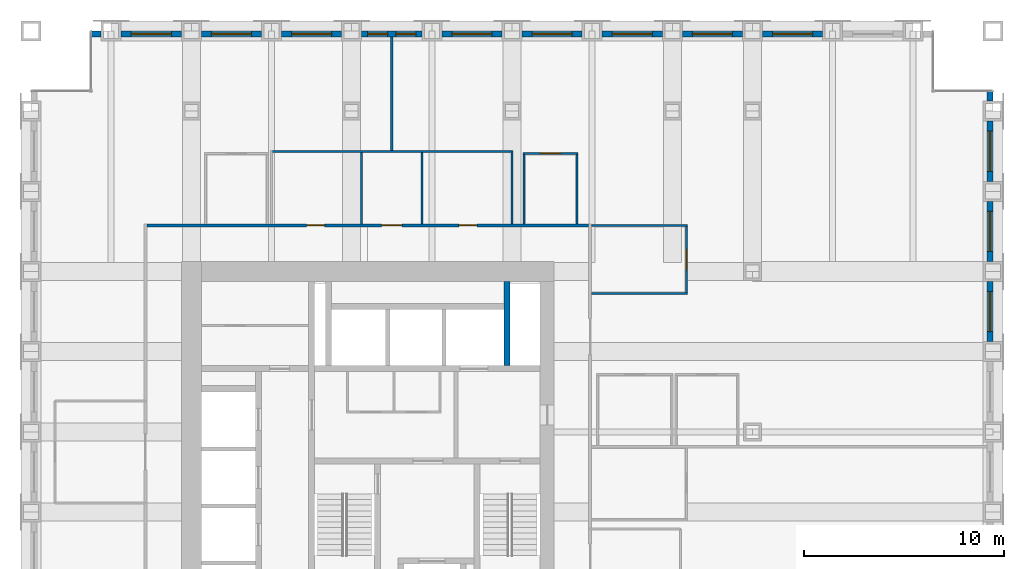
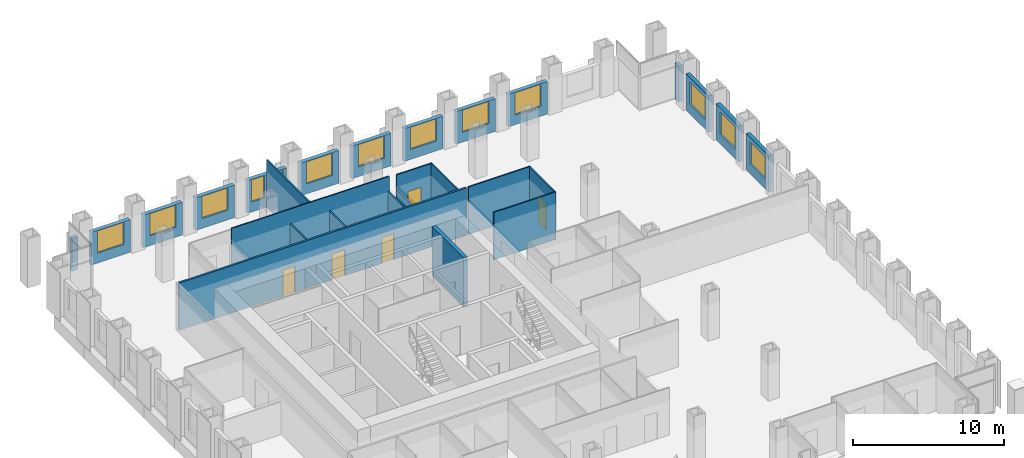
# One storey, part 14 of 17: 27 walls, 13 windows, 5 doors, 18 openings.
"""IFC4 building model written with IfcOpenShell, lengths in metres."""

from ifc_helpers import new_model, si_unit, direction, frame, frame_2d, origin, place, context, subcontext, project, spatial, rectangle, extrude, material, layer, layer_set, type_object, element, fill, save


model = new_model("IFC4")

# Units and contexts
model_context = context("Model", 3, precision=1e-05, world=origin(), true_north=direction((0.0, 1.0)))
body_context = subcontext(model_context, "Body", "Model", "MODEL_VIEW")
ifc_project = project(units=[si_unit("LENGTHUNIT", "METRE"), si_unit("AREAUNIT", "SQUARE_METRE"), si_unit("VOLUMEUNIT", "CUBIC_METRE"), si_unit("PLANEANGLEUNIT", "RADIAN"), si_unit("MASSUNIT", "GRAM", prefix="KILO")], contexts=[model_context])

# Site, building, storey
site_placement = place(None, origin())
site = spatial("IfcSite", under=ifc_project, at=site_placement, CompositionType="ELEMENT")
building_placement = place(site_placement, origin())
building = spatial("IfcBuilding", under=site, at=building_placement, Name="Rimbunsela Tower", CompositionType="ELEMENT")
storey_placement = place(building_placement, frame((0.0, 0.0, 101.39990234375)))
storey = spatial("IfcBuildingStorey", under=building, at=storey_placement, Name="L24", CompositionType="ELEMENT", Elevation=101.39990234375)

# Walls
ifc_material_1 = material(Name="Concrete fc' 80 MPa", Category="concrete")
ifc_layer_1 = layer(ifc_material_1, 0.300048828125)
ifc_layer_set_1 = layer_set([ifc_layer_1], Name="Core internal wall 300")
wall_type_1 = type_object("IfcWallType", Name="Core internal wall 300", PredefinedType="SHEAR", material=ifc_layer_set_1)
wall_1_placement = place(storey_placement, frame((33.75, 31.300048828125, -0.14990234375), z_axis=(0.0, 0.0, 1.0), x_axis=(0.0, 1.0, 0.0)))
element("IfcWall", 1, at=wall_1_placement, inside=storey, type_object=wall_type_1, Name="Riser wall", PredefinedType="SHEAR", context=body_context, shape_type="SweptSolid", body=[
    extrude(rectangle(XDim=4.199951171875, YDim=0.300048828125, at=frame_2d((2.10009765625, 0.0))), origin(), (0.0, 0.0, 1.0), 4.0),
])
ifc_material_2 = material(Name="Gypsum board on steel studs", Category="steel")
ifc_layer_2 = layer(ifc_material_2, 0.10009765625)
ifc_layer_set_2 = layer_set([ifc_layer_2], Name="Office partition 100")
wall_type_2 = type_object("IfcWallType", Name="Office partition 100", PredefinedType="PARTITIONING", material=ifc_layer_set_2)
for number, where, z_axis, x_axis, name in (
    (2, (37.97509765625, 34.89990234375, 0.0), (0.0, 0.0, 1.0), (1.0, 0.0, 0.0), "Office partition"),
    (3, (37.97509765625, 38.300048828125, 0.0), (0.0, 0.0, 1.0), (1.0, 0.0, 0.0), "Office partition"),
):
    element("IfcWall", number, at=place(storey_placement, frame(where, z_axis=z_axis, x_axis=x_axis)), inside=storey, type_object=wall_type_2, Name=name, PredefinedType="PARTITIONING", context=body_context, shape_type="SweptSolid", body=[
        extrude(rectangle(XDim=4.77490234375, YDim=0.10009765625, at=frame_2d((2.387451171875, 0.0))), origin(), (0.0, 0.0, 1.0), 3.85009765625),
    ])

# Wall, opening, door
wall_2_placement = place(storey_placement, frame((34.550048828125, 41.89990234375, 0.0), z_axis=(0.0, 0.0, 1.0), x_axis=(1.0, 0.0, 0.0)))
wall_2 = element("IfcWall", 4, at=wall_2_placement, inside=storey, type_object=wall_type_2, Name="Office partition", PredefinedType="PARTITIONING", context=body_context, shape_type="SweptSolid", body=[
    extrude(rectangle(XDim=2.75, YDim=0.10009765625, at=frame_2d((1.375, 0.0))), origin(), (0.0, 0.0, 1.0), 3.85009765625),
])
opening_1_placement = place(wall_2_placement, frame((0.875, 0.0, 0.0)))
opening_1 = element("IfcOpeningElement", 5, at=opening_1_placement, cuts=wall_2, Name="Opening D16", PredefinedType="OPENING", context=body_context, shape_type="SweptSolid", body=[
    extrude(rectangle(XDim=1.0, YDim=2.199951171875, at=frame_2d((0.5, 1.10009765625))), frame((0.0, 0.06005859375, 0.0), z_axis=(0.0, -1.0, 0.0), x_axis=(1.0, 0.0, 0.0)), (0.0, 0.0, 1.0), 0.1201171875),
])
ifc_material_3 = material(Name="Timber door", Category="wood")
door_type_1 = type_object("IfcDoorType", Name="Office door 1000", OperationType="SINGLE_SWING_LEFT", PredefinedType="DOOR", material=ifc_material_3)
door_1_placement = place(opening_1_placement, origin())
door_1 = element("IfcDoor", 6, at=door_1_placement, inside=storey, type_object=door_type_1, Name="Office door", OperationType="SINGLE_SWING_LEFT", OverallHeight=2.199951171875, OverallWidth=1.0, PredefinedType="DOOR", context=body_context, shape_type="SweptSolid", body=[
    extrude(rectangle(XDim=1.0, YDim=2.199951171875, at=frame_2d((0.5, 1.10009765625))), frame((0.0, 0.02490234375, 0.0), z_axis=(0.0, -1.0, 0.0), x_axis=(1.0, 0.0, 0.0)), (0.0, 0.0, 1.0), 0.050048828125),
])
fill(opening_1, door_1)

# Walls
wall_3_placement = place(storey_placement, frame((34.60009765625, 38.375, 0.0), z_axis=(0.0, 0.0, 1.0), x_axis=(0.0, 1.0, 0.0)))
element("IfcWall", 7, at=wall_3_placement, inside=storey, type_object=wall_type_2, Name="Office partition", PredefinedType="PARTITIONING", context=body_context, shape_type="SweptSolid", body=[
    extrude(rectangle(XDim=3.47509765625, YDim=0.10009765625, at=frame_2d((1.737548828125, 0.0))), origin(), (0.0, 0.0, 1.0), 2.650146484375),
])
wall_4_placement = place(storey_placement, frame((37.25, 38.375, 0.0), z_axis=(0.0, 0.0, 1.0), x_axis=(0.0, 1.0, 0.0)))
element("IfcWall", 8, at=wall_4_placement, inside=storey, type_object=wall_type_2, Name="Office partition", PredefinedType="PARTITIONING", context=body_context, shape_type="SweptSolid", body=[
    extrude(rectangle(XDim=3.47509765625, YDim=0.10009765625, at=frame_2d((1.737548828125, 0.0))), origin(), (0.0, 0.0, 1.0), 3.85009765625),
])

# Wall, opening, door
wall_5_placement = place(storey_placement, frame((42.699951171875, 34.949951171875, 0.0), z_axis=(0.0, 0.0, 1.0), x_axis=(0.0, 1.0, 0.0)))
wall_5 = element("IfcWall", 9, at=wall_5_placement, inside=storey, type_object=wall_type_2, Name="Office partition", PredefinedType="PARTITIONING", context=body_context, shape_type="SweptSolid", body=[
    extrude(rectangle(XDim=3.300048828125, YDim=0.10009765625, at=frame_2d((1.64990234375, 0.0))), origin(), (0.0, 0.0, 1.0), 3.85009765625),
])
opening_2_placement = place(wall_5_placement, frame((1.14990234375, 0.0, 0.0)))
opening_2 = element("IfcOpeningElement", 10, at=opening_2_placement, cuts=wall_5, Name="Opening D16", PredefinedType="OPENING", context=body_context, shape_type="SweptSolid", body=[
    extrude(rectangle(XDim=1.0, YDim=2.199951171875, at=frame_2d((0.5, 1.10009765625))), frame((0.0, 0.06005859375, 0.0), z_axis=(0.0, -1.0, 0.0), x_axis=(1.0, 0.0, 0.0)), (0.0, 0.0, 1.0), 0.1201171875),
])
door_2_placement = place(opening_2_placement, origin())
door_2 = element("IfcDoor", 11, at=door_2_placement, inside=storey, type_object=door_type_1, Name="Office door", OperationType="SINGLE_SWING_LEFT", OverallHeight=2.199951171875, OverallWidth=1.0, PredefinedType="DOOR", context=body_context, shape_type="SweptSolid", body=[
    extrude(rectangle(XDim=1.0, YDim=2.199951171875, at=frame_2d((0.5, 1.10009765625))), frame((0.0, 0.02490234375, 0.0), z_axis=(0.0, -1.0, 0.0), x_axis=(1.0, 0.0, 0.0)), (0.0, 0.0, 1.0), 0.050048828125),
])
fill(opening_2, door_2)

# Wall, opening, window
ifc_material_4 = material(Name="Precast concrete fc' 35 MPa", Category="concrete")
ifc_layer_3 = layer(ifc_material_4, 0.300048828125)
ifc_layer_set_3 = layer_set([ifc_layer_3], Name="Precast concrete fc' 35 MPa")
wall_type_3 = type_object("IfcWallType", Name="Precast facade panel 300", PredefinedType="ELEMENTEDWALL", material=ifc_layer_set_3)
wall_6_placement = place(storey_placement, frame((57.85009765625, 32.5, 0.0), z_axis=(0.0, 0.0, 1.0), x_axis=(0.0, 1.0, 0.0)))
wall_6 = element("IfcWall", 12, at=wall_6_placement, inside=storey, type_object=wall_type_3, Name="Facade panel E L24", PredefinedType="ELEMENTEDWALL", context=body_context, shape_type="SweptSolid", body=[
    extrude(rectangle(XDim=3.0, YDim=0.300048828125, at=frame_2d((1.5, 0.0))), origin(), (0.0, 0.0, 1.0), 2.9501953125),
])
opening_3_placement = place(wall_6_placement, frame((0.5, 0.0, 0.800048828125)))
opening_3 = element("IfcOpeningElement", 13, at=opening_3_placement, cuts=wall_6, Name="Opening W7", PredefinedType="OPENING", context=body_context, shape_type="SweptSolid", body=[
    extrude(rectangle(XDim=2.0, YDim=1.800048828125, at=frame_2d((1.0, 0.89990234375))), frame((0.0, 0.159912109375, 0.0), z_axis=(0.0, -1.0, 0.0), x_axis=(1.0, 0.0, 0.0)), (0.0, 0.0, 1.0), 0.320068359375),
])
ifc_material_5 = material(Name="Clear glass in aluminium frame", Category="aluminium")
window_type_1 = type_object("IfcWindowType", Name="Window W7 2000x1800", PartitioningType="DOUBLE_PANEL_VERTICAL", PredefinedType="WINDOW", material=ifc_material_5)
window_1_placement = place(opening_3_placement, origin())
window_1 = element("IfcWindow", 14, at=window_1_placement, inside=storey, type_object=window_type_1, Name="Window L24", OverallHeight=1.800048828125, OverallWidth=2.0, PartitioningType="SINGLE_PANEL", PredefinedType="WINDOW", context=body_context, shape_type="SweptSolid", body=[
    extrude(rectangle(XDim=2.0, YDim=1.800048828125, at=frame_2d((1.0, 0.89990234375))), frame((0.0, 0.030029296875, 0.0), z_axis=(0.0, -1.0, 0.0), x_axis=(1.0, 0.0, 0.0)), (0.0, 0.0, 1.0), 0.06005859375),
])
fill(opening_3, window_1)

wall_7_placement = place(storey_placement, frame((57.85009765625, 36.5, 0.0), z_axis=(0.0, 0.0, 1.0), x_axis=(0.0, 1.0, 0.0)))
wall_7 = element("IfcWall", 15, at=wall_7_placement, inside=storey, type_object=wall_type_3, Name="Facade panel E L24", PredefinedType="ELEMENTEDWALL", context=body_context, shape_type="SweptSolid", body=[
    extrude(rectangle(XDim=3.0, YDim=0.300048828125, at=frame_2d((1.5, 0.0))), origin(), (0.0, 0.0, 1.0), 2.9501953125),
])
opening_4_placement = place(wall_7_placement, frame((0.5, 0.0, 0.800048828125)))
opening_4 = element("IfcOpeningElement", 16, at=opening_4_placement, cuts=wall_7, Name="Opening W7", PredefinedType="OPENING", context=body_context, shape_type="SweptSolid", body=[
    extrude(rectangle(XDim=2.0, YDim=1.800048828125, at=frame_2d((1.0, 0.89990234375))), frame((0.0, 0.159912109375, 0.0), z_axis=(0.0, -1.0, 0.0), x_axis=(1.0, 0.0, 0.0)), (0.0, 0.0, 1.0), 0.320068359375),
])
window_2_placement = place(opening_4_placement, origin())
window_2 = element("IfcWindow", 17, at=window_2_placement, inside=storey, type_object=window_type_1, Name="Window L24", OverallHeight=1.800048828125, OverallWidth=2.0, PartitioningType="SINGLE_PANEL", PredefinedType="WINDOW", context=body_context, shape_type="SweptSolid", body=[
    extrude(rectangle(XDim=2.0, YDim=1.800048828125, at=frame_2d((1.0, 0.89990234375))), frame((0.0, 0.030029296875, 0.0), z_axis=(0.0, -1.0, 0.0), x_axis=(1.0, 0.0, 0.0)), (0.0, 0.0, 1.0), 0.06005859375),
])
fill(opening_4, window_2)

wall_8_placement = place(storey_placement, frame((57.85009765625, 40.5, 0.0), z_axis=(0.0, 0.0, 1.0), x_axis=(0.0, 1.0, 0.0)))
wall_8 = element("IfcWall", 18, at=wall_8_placement, inside=storey, type_object=wall_type_3, Name="Facade panel E L24", PredefinedType="ELEMENTEDWALL", context=body_context, shape_type="SweptSolid", body=[
    extrude(rectangle(XDim=3.0, YDim=0.300048828125, at=frame_2d((1.5, 0.0))), origin(), (0.0, 0.0, 1.0), 2.9501953125),
])
opening_5_placement = place(wall_8_placement, frame((0.5, 0.0, 0.800048828125)))
opening_5 = element("IfcOpeningElement", 19, at=opening_5_placement, cuts=wall_8, Name="Opening W7", PredefinedType="OPENING", context=body_context, shape_type="SweptSolid", body=[
    extrude(rectangle(XDim=2.0, YDim=1.800048828125, at=frame_2d((1.0, 0.89990234375))), frame((0.0, 0.159912109375, 0.0), z_axis=(0.0, -1.0, 0.0), x_axis=(1.0, 0.0, 0.0)), (0.0, 0.0, 1.0), 0.320068359375),
])
window_3_placement = place(opening_5_placement, origin())
window_3 = element("IfcWindow", 20, at=window_3_placement, inside=storey, type_object=window_type_1, Name="Window L24", OverallHeight=1.800048828125, OverallWidth=2.0, PartitioningType="SINGLE_PANEL", PredefinedType="WINDOW", context=body_context, shape_type="SweptSolid", body=[
    extrude(rectangle(XDim=2.0, YDim=1.800048828125, at=frame_2d((1.0, 0.89990234375))), frame((0.0, 0.030029296875, 0.0), z_axis=(0.0, -1.0, 0.0), x_axis=(1.0, 0.0, 0.0)), (0.0, 0.0, 1.0), 0.06005859375),
])
fill(opening_5, window_3)

# Walls
wall_9_placement = place(storey_placement, frame((57.85009765625, 44.5, 0.0), z_axis=(0.0, 0.0, 1.0), x_axis=(0.0, 1.0, 0.0)))
element("IfcWall", 21, at=wall_9_placement, inside=storey, type_object=wall_type_3, Name="Facade panel E L24", PredefinedType="ELEMENTEDWALL", context=body_context, shape_type="SweptSolid", body=[
    extrude(rectangle(XDim=0.469970703125, YDim=0.300048828125, at=frame_2d((0.23486328125, 0.0))), origin(), (0.0, 0.0, 1.0), 2.9501953125),
])
wall_10_placement = place(storey_placement, frame((13.5, 47.85009765625, 0.0), z_axis=(0.0, 0.0, 1.0), x_axis=(-1.0, 0.0, 0.0)))
element("IfcWall", 22, at=wall_10_placement, inside=storey, type_object=wall_type_3, Name="Facade panel N L24", PredefinedType="ELEMENTEDWALL", context=body_context, shape_type="SweptSolid", body=[
    extrude(rectangle(XDim=0.469970703125, YDim=0.300048828125, at=frame_2d((0.23486328125, 0.0))), origin(), (0.0, 0.0, 1.0), 2.650146484375),
])

# Wall, opening, window
wall_11_placement = place(storey_placement, frame((17.5, 47.85009765625, 0.0), z_axis=(0.0, 0.0, 1.0), x_axis=(-1.0, 0.0, 0.0)))
wall_11 = element("IfcWall", 23, at=wall_11_placement, inside=storey, type_object=wall_type_3, Name="Facade panel N L24", PredefinedType="ELEMENTEDWALL", context=body_context, shape_type="SweptSolid", body=[
    extrude(rectangle(XDim=3.0, YDim=0.300048828125, at=frame_2d((1.5, 0.0))), origin(), (0.0, 0.0, 1.0), 2.650146484375),
])
opening_6_placement = place(wall_11_placement, frame((0.5, 0.0, 0.800048828125)))
opening_6 = element("IfcOpeningElement", 24, at=opening_6_placement, cuts=wall_11, Name="Opening W7", PredefinedType="OPENING", context=body_context, shape_type="SweptSolid", body=[
    extrude(rectangle(XDim=2.0, YDim=1.800048828125, at=frame_2d((1.0, 0.89990234375))), frame((0.0, 0.159912109375, 0.0), z_axis=(0.0, -1.0, 0.0), x_axis=(1.0, 0.0, 0.0)), (0.0, 0.0, 1.0), 0.320068359375),
])
window_4_placement = place(opening_6_placement, origin())
window_4 = element("IfcWindow", 25, at=window_4_placement, inside=storey, type_object=window_type_1, Name="Window L24", OverallHeight=1.800048828125, OverallWidth=2.0, PartitioningType="SINGLE_PANEL", PredefinedType="WINDOW", context=body_context, shape_type="SweptSolid", body=[
    extrude(rectangle(XDim=2.0, YDim=1.800048828125, at=frame_2d((1.0, 0.89990234375))), frame((0.0, 0.030029296875, 0.0), z_axis=(0.0, -1.0, 0.0), x_axis=(1.0, 0.0, 0.0)), (0.0, 0.0, 1.0), 0.06005859375),
])
fill(opening_6, window_4)

wall_12_placement = place(storey_placement, frame((21.5, 47.85009765625, 0.0), z_axis=(0.0, 0.0, 1.0), x_axis=(-1.0, 0.0, 0.0)))
wall_12 = element("IfcWall", 26, at=wall_12_placement, inside=storey, type_object=wall_type_3, Name="Facade panel N L24", PredefinedType="ELEMENTEDWALL", context=body_context, shape_type="SweptSolid", body=[
    extrude(rectangle(XDim=3.0, YDim=0.300048828125, at=frame_2d((1.5, 0.0))), origin(), (0.0, 0.0, 1.0), 2.650146484375),
])
opening_7_placement = place(wall_12_placement, frame((0.5, 0.0, 0.800048828125)))
opening_7 = element("IfcOpeningElement", 27, at=opening_7_placement, cuts=wall_12, Name="Opening W7", PredefinedType="OPENING", context=body_context, shape_type="SweptSolid", body=[
    extrude(rectangle(XDim=2.0, YDim=1.800048828125, at=frame_2d((1.0, 0.89990234375))), frame((0.0, 0.159912109375, 0.0), z_axis=(0.0, -1.0, 0.0), x_axis=(1.0, 0.0, 0.0)), (0.0, 0.0, 1.0), 0.320068359375),
])
window_5_placement = place(opening_7_placement, origin())
window_5 = element("IfcWindow", 28, at=window_5_placement, inside=storey, type_object=window_type_1, Name="Window L24", OverallHeight=1.800048828125, OverallWidth=2.0, PartitioningType="SINGLE_PANEL", PredefinedType="WINDOW", context=body_context, shape_type="SweptSolid", body=[
    extrude(rectangle(XDim=2.0, YDim=1.800048828125, at=frame_2d((1.0, 0.89990234375))), frame((0.0, 0.030029296875, 0.0), z_axis=(0.0, -1.0, 0.0), x_axis=(1.0, 0.0, 0.0)), (0.0, 0.0, 1.0), 0.06005859375),
])
fill(opening_7, window_5)

wall_13_placement = place(storey_placement, frame((25.5, 47.85009765625, 0.0), z_axis=(0.0, 0.0, 1.0), x_axis=(-1.0, 0.0, 0.0)))
wall_13 = element("IfcWall", 29, at=wall_13_placement, inside=storey, type_object=wall_type_3, Name="Facade panel N L24", PredefinedType="ELEMENTEDWALL", context=body_context, shape_type="SweptSolid", body=[
    extrude(rectangle(XDim=3.0, YDim=0.300048828125, at=frame_2d((1.5, 0.0))), origin(), (0.0, 0.0, 1.0), 2.650146484375),
])
opening_8_placement = place(wall_13_placement, frame((0.5, 0.0, 0.800048828125)))
opening_8 = element("IfcOpeningElement", 30, at=opening_8_placement, cuts=wall_13, Name="Opening W7", PredefinedType="OPENING", context=body_context, shape_type="SweptSolid", body=[
    extrude(rectangle(XDim=2.0, YDim=1.800048828125, at=frame_2d((1.0, 0.89990234375))), frame((0.0, 0.159912109375, 0.0), z_axis=(0.0, -1.0, 0.0), x_axis=(1.0, 0.0, 0.0)), (0.0, 0.0, 1.0), 0.320068359375),
])
window_6_placement = place(opening_8_placement, origin())
window_6 = element("IfcWindow", 31, at=window_6_placement, inside=storey, type_object=window_type_1, Name="Window L24", OverallHeight=1.800048828125, OverallWidth=2.0, PartitioningType="SINGLE_PANEL", PredefinedType="WINDOW", context=body_context, shape_type="SweptSolid", body=[
    extrude(rectangle(XDim=2.0, YDim=1.800048828125, at=frame_2d((1.0, 0.89990234375))), frame((0.0, 0.030029296875, 0.0), z_axis=(0.0, -1.0, 0.0), x_axis=(1.0, 0.0, 0.0)), (0.0, 0.0, 1.0), 0.06005859375),
])
fill(opening_8, window_6)

# Wall, openings, windows
wall_14_placement = place(storey_placement, frame((29.5, 47.85009765625, 0.0), z_axis=(0.0, 0.0, 1.0), x_axis=(-1.0, 0.0, 0.0)))
wall_14 = element("IfcWall", 32, at=wall_14_placement, inside=storey, type_object=wall_type_3, Name="Facade panel N L24", PredefinedType="ELEMENTEDWALL", context=body_context, shape_type="SweptSolid", body=[
    extrude(rectangle(XDim=3.0, YDim=0.300048828125, at=frame_2d((1.5, 0.0))), origin(), (0.0, 0.0, 1.0), 2.650146484375),
])
opening_9_placement = place(wall_14_placement, frame((1.699951171875, 0.0, 0.800048828125)))
opening_9 = element("IfcOpeningElement", 33, at=opening_9_placement, cuts=wall_14, Name="Opening W8", PredefinedType="OPENING", context=body_context, shape_type="SweptSolid", body=[
    extrude(rectangle(XDim=1.0, YDim=1.800048828125, at=frame_2d((0.5, 0.89990234375))), frame((0.0, 0.159912109375, 0.0), z_axis=(0.0, -1.0, 0.0), x_axis=(1.0, 0.0, 0.0)), (0.0, 0.0, 1.0), 0.320068359375),
])
opening_10_placement = place(wall_14_placement, frame((0.300048828125, 0.0, 0.800048828125)))
opening_10 = element("IfcOpeningElement", 34, at=opening_10_placement, cuts=wall_14, Name="Opening W8", PredefinedType="OPENING", context=body_context, shape_type="SweptSolid", body=[
    extrude(rectangle(XDim=1.0, YDim=1.800048828125, at=frame_2d((0.5, 0.89990234375))), frame((0.0, 0.159912109375, 0.0), z_axis=(0.0, -1.0, 0.0), x_axis=(1.0, 0.0, 0.0)), (0.0, 0.0, 1.0), 0.320068359375),
])
ifc_material_6 = material(Name="Clear glass in aluminium frame", Category="aluminium")
window_type_2 = type_object("IfcWindowType", Name="Window W8 1000x1800", PartitioningType="SINGLE_PANEL", PredefinedType="WINDOW", material=ifc_material_6)
window_7_placement = place(opening_9_placement, origin())
window_7 = element("IfcWindow", 35, at=window_7_placement, inside=storey, type_object=window_type_2, Name="Window L24", OverallHeight=1.800048828125, OverallWidth=1.0, PartitioningType="SINGLE_PANEL", PredefinedType="WINDOW", context=body_context, shape_type="SweptSolid", body=[
    extrude(rectangle(XDim=1.0, YDim=1.800048828125, at=frame_2d((0.5, 0.89990234375))), frame((0.0, 0.030029296875, 0.0), z_axis=(0.0, -1.0, 0.0), x_axis=(1.0, 0.0, 0.0)), (0.0, 0.0, 1.0), 0.06005859375),
])
fill(opening_9, window_7)
window_8_placement = place(opening_10_placement, origin())
window_8 = element("IfcWindow", 36, at=window_8_placement, inside=storey, type_object=window_type_2, Name="Window L24", OverallHeight=1.800048828125, OverallWidth=1.0, PartitioningType="SINGLE_PANEL", PredefinedType="WINDOW", context=body_context, shape_type="SweptSolid", body=[
    extrude(rectangle(XDim=1.0, YDim=1.800048828125, at=frame_2d((0.5, 0.89990234375))), frame((0.0, 0.030029296875, 0.0), z_axis=(0.0, -1.0, 0.0), x_axis=(1.0, 0.0, 0.0)), (0.0, 0.0, 1.0), 0.06005859375),
])
fill(opening_10, window_8)

# Wall, opening, window
wall_15_placement = place(storey_placement, frame((33.5, 47.85009765625, 0.0), z_axis=(0.0, 0.0, 1.0), x_axis=(-1.0, 0.0, 0.0)))
wall_15 = element("IfcWall", 37, at=wall_15_placement, inside=storey, type_object=wall_type_3, Name="Facade panel N L24", PredefinedType="ELEMENTEDWALL", context=body_context, shape_type="SweptSolid", body=[
    extrude(rectangle(XDim=3.0, YDim=0.300048828125, at=frame_2d((1.5, 0.0))), origin(), (0.0, 0.0, 1.0), 2.650146484375),
])
opening_11_placement = place(wall_15_placement, frame((0.5, 0.0, 0.800048828125)))
opening_11 = element("IfcOpeningElement", 38, at=opening_11_placement, cuts=wall_15, Name="Opening W7", PredefinedType="OPENING", context=body_context, shape_type="SweptSolid", body=[
    extrude(rectangle(XDim=2.0, YDim=1.800048828125, at=frame_2d((1.0, 0.89990234375))), frame((0.0, 0.159912109375, 0.0), z_axis=(0.0, -1.0, 0.0), x_axis=(1.0, 0.0, 0.0)), (0.0, 0.0, 1.0), 0.320068359375),
])
window_9_placement = place(opening_11_placement, origin())
window_9 = element("IfcWindow", 39, at=window_9_placement, inside=storey, type_object=window_type_1, Name="Window L24", OverallHeight=1.800048828125, OverallWidth=2.0, PartitioningType="SINGLE_PANEL", PredefinedType="WINDOW", context=body_context, shape_type="SweptSolid", body=[
    extrude(rectangle(XDim=2.0, YDim=1.800048828125, at=frame_2d((1.0, 0.89990234375))), frame((0.0, 0.030029296875, 0.0), z_axis=(0.0, -1.0, 0.0), x_axis=(1.0, 0.0, 0.0)), (0.0, 0.0, 1.0), 0.06005859375),
])
fill(opening_11, window_9)

wall_16_placement = place(storey_placement, frame((37.5, 47.85009765625, 0.0), z_axis=(0.0, 0.0, 1.0), x_axis=(-1.0, 0.0, 0.0)))
wall_16 = element("IfcWall", 40, at=wall_16_placement, inside=storey, type_object=wall_type_3, Name="Facade panel N L24", PredefinedType="ELEMENTEDWALL", context=body_context, shape_type="SweptSolid", body=[
    extrude(rectangle(XDim=3.0, YDim=0.300048828125, at=frame_2d((1.5, 0.0))), origin(), (0.0, 0.0, 1.0), 2.650146484375),
])
opening_12_placement = place(wall_16_placement, frame((0.5, 0.0, 0.800048828125)))
opening_12 = element("IfcOpeningElement", 41, at=opening_12_placement, cuts=wall_16, Name="Opening W7", PredefinedType="OPENING", context=body_context, shape_type="SweptSolid", body=[
    extrude(rectangle(XDim=2.0, YDim=1.800048828125, at=frame_2d((1.0, 0.89990234375))), frame((0.0, 0.159912109375, 0.0), z_axis=(0.0, -1.0, 0.0), x_axis=(1.0, 0.0, 0.0)), (0.0, 0.0, 1.0), 0.320068359375),
])
window_10_placement = place(opening_12_placement, origin())
window_10 = element("IfcWindow", 42, at=window_10_placement, inside=storey, type_object=window_type_1, Name="Window L24", OverallHeight=1.800048828125, OverallWidth=2.0, PartitioningType="SINGLE_PANEL", PredefinedType="WINDOW", context=body_context, shape_type="SweptSolid", body=[
    extrude(rectangle(XDim=2.0, YDim=1.800048828125, at=frame_2d((1.0, 0.89990234375))), frame((0.0, 0.030029296875, 0.0), z_axis=(0.0, -1.0, 0.0), x_axis=(1.0, 0.0, 0.0)), (0.0, 0.0, 1.0), 0.06005859375),
])
fill(opening_12, window_10)

wall_17_placement = place(storey_placement, frame((41.5, 47.85009765625, 0.0), z_axis=(0.0, 0.0, 1.0), x_axis=(-1.0, 0.0, 0.0)))
wall_17 = element("IfcWall", 43, at=wall_17_placement, inside=storey, type_object=wall_type_3, Name="Facade panel N L24", PredefinedType="ELEMENTEDWALL", context=body_context, shape_type="SweptSolid", body=[
    extrude(rectangle(XDim=3.0, YDim=0.300048828125, at=frame_2d((1.5, 0.0))), origin(), (0.0, 0.0, 1.0), 2.650146484375),
])
opening_13_placement = place(wall_17_placement, frame((0.5, 0.0, 0.800048828125)))
opening_13 = element("IfcOpeningElement", 44, at=opening_13_placement, cuts=wall_17, Name="Opening W7", PredefinedType="OPENING", context=body_context, shape_type="SweptSolid", body=[
    extrude(rectangle(XDim=2.0, YDim=1.800048828125, at=frame_2d((1.0, 0.89990234375))), frame((0.0, 0.159912109375, 0.0), z_axis=(0.0, -1.0, 0.0), x_axis=(1.0, 0.0, 0.0)), (0.0, 0.0, 1.0), 0.320068359375),
])
window_11_placement = place(opening_13_placement, origin())
window_11 = element("IfcWindow", 45, at=window_11_placement, inside=storey, type_object=window_type_1, Name="Window L24", OverallHeight=1.800048828125, OverallWidth=2.0, PartitioningType="SINGLE_PANEL", PredefinedType="WINDOW", context=body_context, shape_type="SweptSolid", body=[
    extrude(rectangle(XDim=2.0, YDim=1.800048828125, at=frame_2d((1.0, 0.89990234375))), frame((0.0, 0.030029296875, 0.0), z_axis=(0.0, -1.0, 0.0), x_axis=(1.0, 0.0, 0.0)), (0.0, 0.0, 1.0), 0.06005859375),
])
fill(opening_13, window_11)

wall_18_placement = place(storey_placement, frame((45.5, 47.85009765625, 0.0), z_axis=(0.0, 0.0, 1.0), x_axis=(-1.0, 0.0, 0.0)))
wall_18 = element("IfcWall", 46, at=wall_18_placement, inside=storey, type_object=wall_type_3, Name="Facade panel N L24", PredefinedType="ELEMENTEDWALL", context=body_context, shape_type="SweptSolid", body=[
    extrude(rectangle(XDim=3.0, YDim=0.300048828125, at=frame_2d((1.5, 0.0))), origin(), (0.0, 0.0, 1.0), 2.650146484375),
])
opening_14_placement = place(wall_18_placement, frame((0.5, 0.0, 0.800048828125)))
opening_14 = element("IfcOpeningElement", 47, at=opening_14_placement, cuts=wall_18, Name="Opening W7", PredefinedType="OPENING", context=body_context, shape_type="SweptSolid", body=[
    extrude(rectangle(XDim=2.0, YDim=1.800048828125, at=frame_2d((1.0, 0.89990234375))), frame((0.0, 0.159912109375, 0.0), z_axis=(0.0, -1.0, 0.0), x_axis=(1.0, 0.0, 0.0)), (0.0, 0.0, 1.0), 0.320068359375),
])
window_12_placement = place(opening_14_placement, origin())
window_12 = element("IfcWindow", 48, at=window_12_placement, inside=storey, type_object=window_type_1, Name="Window L24", OverallHeight=1.800048828125, OverallWidth=2.0, PartitioningType="SINGLE_PANEL", PredefinedType="WINDOW", context=body_context, shape_type="SweptSolid", body=[
    extrude(rectangle(XDim=2.0, YDim=1.800048828125, at=frame_2d((1.0, 0.89990234375))), frame((0.0, 0.030029296875, 0.0), z_axis=(0.0, -1.0, 0.0), x_axis=(1.0, 0.0, 0.0)), (0.0, 0.0, 1.0), 0.06005859375),
])
fill(opening_14, window_12)

wall_19_placement = place(storey_placement, frame((49.5, 47.85009765625, 0.0), z_axis=(0.0, 0.0, 1.0), x_axis=(-1.0, 0.0, 0.0)))
wall_19 = element("IfcWall", 49, at=wall_19_placement, inside=storey, type_object=wall_type_3, Name="Facade panel N L24", PredefinedType="ELEMENTEDWALL", context=body_context, shape_type="SweptSolid", body=[
    extrude(rectangle(XDim=3.0, YDim=0.300048828125, at=frame_2d((1.5, 0.0))), origin(), (0.0, 0.0, 1.0), 2.650146484375),
])
opening_15_placement = place(wall_19_placement, frame((0.5, 0.0, 0.800048828125)))
opening_15 = element("IfcOpeningElement", 50, at=opening_15_placement, cuts=wall_19, Name="Opening W7", PredefinedType="OPENING", context=body_context, shape_type="SweptSolid", body=[
    extrude(rectangle(XDim=2.0, YDim=1.800048828125, at=frame_2d((1.0, 0.89990234375))), frame((0.0, 0.159912109375, 0.0), z_axis=(0.0, -1.0, 0.0), x_axis=(1.0, 0.0, 0.0)), (0.0, 0.0, 1.0), 0.320068359375),
])
window_13_placement = place(opening_15_placement, origin())
window_13 = element("IfcWindow", 51, at=window_13_placement, inside=storey, type_object=window_type_1, Name="Window L24", OverallHeight=1.800048828125, OverallWidth=2.0, PartitioningType="SINGLE_PANEL", PredefinedType="WINDOW", context=body_context, shape_type="SweptSolid", body=[
    extrude(rectangle(XDim=2.0, YDim=1.800048828125, at=frame_2d((1.0, 0.89990234375))), frame((0.0, 0.030029296875, 0.0), z_axis=(0.0, -1.0, 0.0), x_axis=(1.0, 0.0, 0.0)), (0.0, 0.0, 1.0), 0.06005859375),
])
fill(opening_15, window_13)

# Wall, openings, doors
ifc_material_7 = material(Name="Fire-rated gypsum board on steel studs, EI 60", Category="steel")
ifc_layer_4 = layer(ifc_material_7, 0.14990234375)
ifc_layer_set_4 = layer_set([ifc_layer_4], Name="Rated corridor wall 150")
wall_type_4 = type_object("IfcWallType", Name="Rated corridor wall 150", PredefinedType="PARTITIONING", material=ifc_layer_set_4)
wall_20_placement = place(storey_placement, frame((15.77490234375, 38.300048828125, 0.0), z_axis=(0.0, 0.0, 1.0), x_axis=(1.0, 0.0, 0.0)))
wall_20 = element("IfcWall", 52, at=wall_20_placement, inside=storey, type_object=wall_type_4, Name="Corridor wall north", PredefinedType="PARTITIONING", context=body_context, shape_type="SweptSolid", body=[
    extrude(rectangle(XDim=22.050048828125, YDim=0.14990234375, at=frame_2d((11.02490234375, 0.0))), origin(), (0.0, 0.0, 1.0), 3.85009765625),
])
opening_16_placement = place(wall_20_placement, frame((7.97509765625, 0.0, 0.0)))
opening_16 = element("IfcOpeningElement", 53, at=opening_16_placement, cuts=wall_20, Name="Opening D04", PredefinedType="OPENING", context=body_context, shape_type="SweptSolid", body=[
    extrude(rectangle(XDim=0.89990234375, YDim=2.10009765625, at=frame_2d((0.449951171875, 1.050048828125))), frame((0.0, 0.0849609375, 0.0), z_axis=(0.0, -1.0, 0.0), x_axis=(1.0, 0.0, 0.0)), (0.0, 0.0, 1.0), 0.169921875),
])
opening_17_placement = place(wall_20_placement, frame((11.72509765625, 0.0, 0.0)))
opening_17 = element("IfcOpeningElement", 54, at=opening_17_placement, cuts=wall_20, Name="Opening D05", PredefinedType="OPENING", context=body_context, shape_type="SweptSolid", body=[
    extrude(rectangle(XDim=1.0, YDim=2.10009765625, at=frame_2d((0.5, 1.050048828125))), frame((0.0, 0.0849609375, 0.0), z_axis=(0.0, -1.0, 0.0), x_axis=(1.0, 0.0, 0.0)), (0.0, 0.0, 1.0), 0.169921875),
])
opening_18_placement = place(wall_20_placement, frame((15.574951171875, 0.0, 0.0)))
opening_18 = element("IfcOpeningElement", 55, at=opening_18_placement, cuts=wall_20, Name="Opening D04", PredefinedType="OPENING", context=body_context, shape_type="SweptSolid", body=[
    extrude(rectangle(XDim=0.89990234375, YDim=2.10009765625, at=frame_2d((0.449951171875, 1.050048828125))), frame((0.0, 0.0849609375, 0.0), z_axis=(0.0, -1.0, 0.0), x_axis=(1.0, 0.0, 0.0)), (0.0, 0.0, 1.0), 0.169921875),
])
ifc_material_8 = material(Name="Timber door", Category="wood")
door_type_2 = type_object("IfcDoorType", Name="Accessible WC door 1000", OperationType="SLIDING_TO_LEFT", PredefinedType="DOOR", material=ifc_material_8)
door_3_placement = place(opening_17_placement, origin())
door_3 = element("IfcDoor", 56, at=door_3_placement, inside=storey, type_object=door_type_2, Name="Accessible WC door", OperationType="SLIDING_TO_LEFT", OverallHeight=2.10009765625, OverallWidth=1.0, PredefinedType="DOOR", context=body_context, shape_type="SweptSolid", body=[
    extrude(rectangle(XDim=1.0, YDim=2.10009765625, at=frame_2d((0.5, 1.050048828125))), frame((0.0, 0.02490234375, 0.0), z_axis=(0.0, -1.0, 0.0), x_axis=(1.0, 0.0, 0.0)), (0.0, 0.0, 1.0), 0.050048828125),
])
fill(opening_17, door_3)
ifc_material_9 = material(Name="Timber door", Category="wood")
door_type_3 = type_object("IfcDoorType", Name="Toilet door 900", OperationType="SINGLE_SWING_LEFT", PredefinedType="DOOR", material=ifc_material_9)
door_4_placement = place(opening_16_placement, origin())
door_4 = element("IfcDoor", 57, at=door_4_placement, inside=storey, type_object=door_type_3, Name="Female WC door", OperationType="SINGLE_SWING_LEFT", OverallHeight=2.10009765625, OverallWidth=0.89990234375, PredefinedType="DOOR", context=body_context, shape_type="SweptSolid", body=[
    extrude(rectangle(XDim=0.89990234375, YDim=2.10009765625, at=frame_2d((0.449951171875, 1.050048828125))), frame((0.0, 0.02490234375, 0.0), z_axis=(0.0, -1.0, 0.0), x_axis=(1.0, 0.0, 0.0)), (0.0, 0.0, 1.0), 0.050048828125),
])
fill(opening_16, door_4)
door_5_placement = place(opening_18_placement, origin())
door_5 = element("IfcDoor", 58, at=door_5_placement, inside=storey, type_object=door_type_3, Name="Male WC door", OperationType="SINGLE_SWING_LEFT", OverallHeight=2.10009765625, OverallWidth=0.89990234375, PredefinedType="DOOR", context=body_context, shape_type="SweptSolid", body=[
    extrude(rectangle(XDim=0.89990234375, YDim=2.10009765625, at=frame_2d((0.449951171875, 1.050048828125))), frame((0.0, 0.02490234375, 0.0), z_axis=(0.0, -1.0, 0.0), x_axis=(1.0, 0.0, 0.0)), (0.0, 0.0, 1.0), 0.050048828125),
])
fill(opening_18, door_5)

# Walls
ifc_material_10 = material(Name="Gypsum board on steel studs", Category="steel")
ifc_layer_5 = layer(ifc_material_10, 0.1201171875)
ifc_layer_set_5 = layer_set([ifc_layer_5], Name="Tenancy partition 120")
wall_type_5 = type_object("IfcWallType", Name="Tenancy partition 120", PredefinedType="PARTITIONING", material=ifc_layer_set_5)
wall_21_placement = place(storey_placement, frame((28.0, 42.050048828125, 0.0), z_axis=(0.0, 0.0, 1.0), x_axis=(0.0, 1.0, 0.0)))
element("IfcWall", 59, at=wall_21_placement, inside=storey, type_object=wall_type_5, Name="Tenancy partition north", PredefinedType="PARTITIONING", context=body_context, shape_type="SweptSolid", body=[
    extrude(rectangle(XDim=5.64990234375, YDim=0.1201171875, at=frame_2d((2.824951171875, 0.0))), origin(), (0.0, 0.0, 1.0), 3.85009765625),
])
ifc_material_11 = material(Name="Concrete blockwork", Category="masonry")
ifc_layer_6 = layer(ifc_material_11, 0.10009765625)
ifc_layer_set_6 = layer_set([ifc_layer_6], Name="Toilet partition 100")
wall_type_6 = type_object("IfcWallType", Name="Toilet partition 100", PredefinedType="PARTITIONING", material=ifc_layer_set_6)
wall_22_placement = place(storey_placement, frame((34.0, 38.375, 0.0), z_axis=(0.0, 0.0, 1.0), x_axis=(0.0, 1.0, 0.0)))
element("IfcWall", 60, at=wall_22_placement, inside=storey, type_object=wall_type_6, Name="Toilet block wall east", PredefinedType="PARTITIONING", context=body_context, shape_type="SweptSolid", body=[
    extrude(rectangle(XDim=3.675048828125, YDim=0.10009765625, at=frame_2d((1.83740234375, 0.0))), origin(), (0.0, 0.0, 1.0), 2.650146484375),
])
wall_23_placement = place(storey_placement, frame((21.949951171875, 42.0, 0.0), z_axis=(0.0, 0.0, 1.0), x_axis=(1.0, 0.0, 0.0)))
element("IfcWall", 61, at=wall_23_placement, inside=storey, type_object=wall_type_6, Name="Toilet block wall north", PredefinedType="PARTITIONING", context=body_context, shape_type="SweptSolid", body=[
    extrude(rectangle(XDim=12.10009765625, YDim=0.10009765625, at=frame_2d((6.050048828125, 0.0))), origin(), (0.0, 0.0, 1.0), 3.85009765625),
])
for number, where, z_axis, x_axis, name in (
    (62, (26.5, 38.375, 0.0), (0.0, 0.0, 1.0), (0.0, 1.0, 0.0), "Toilet partition"),
    (63, (29.5, 38.375, 0.0), (0.0, 0.0, 1.0), (0.0, 1.0, 0.0), "Toilet partition"),
):
    element("IfcWall", number, at=place(storey_placement, frame(where, z_axis=z_axis, x_axis=x_axis)), inside=storey, type_object=wall_type_6, Name=name, PredefinedType="PARTITIONING", context=body_context, shape_type="SweptSolid", body=[
        extrude(rectangle(XDim=3.574951171875, YDim=0.10009765625, at=frame_2d((1.78759765625, 0.0))), origin(), (0.0, 0.0, 1.0), 2.650146484375),
    ])

save(model, "model.ifc")
